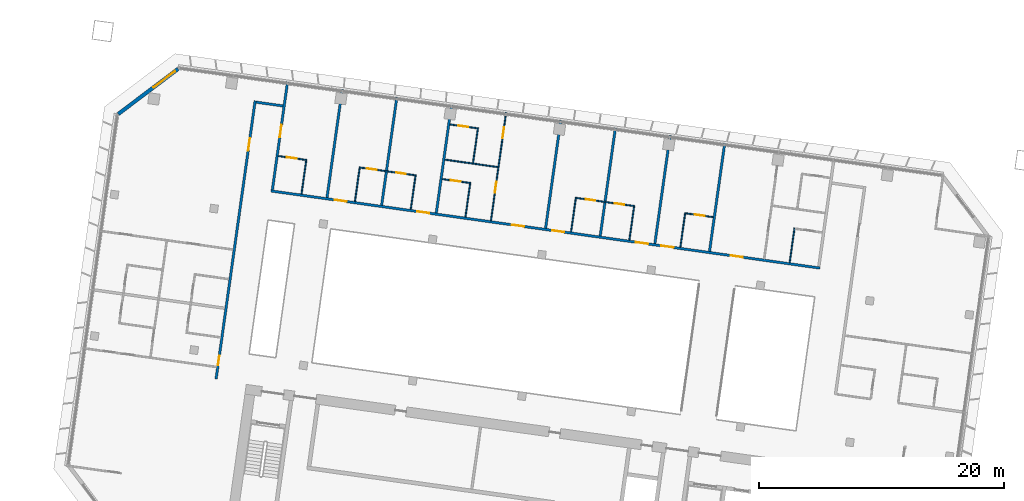
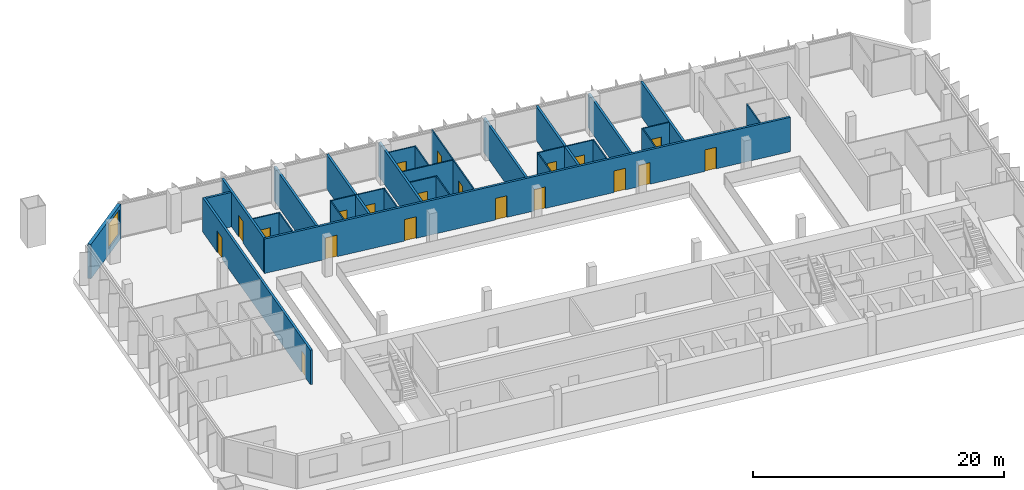
# One storey, part 16 of 24: 29 walls, 20 doors, 1 window, 21 openings.
"""IFC4 building model written with IfcOpenShell, lengths in metres."""

import ifcopenshell
import ifcopenshell.guid

model = None  # the IFC model being written
_history = None  # IfcOwnerHistory: only IFC2X3 demands one
_inside = {}  # id of a spatial element -> (the spatial element, [elements in it])
_under = {}  # id of a project, library or spatial element -> (it, [spatial elements below it])
_declared = {}  # id of a project -> (the project, [libraries it declares])
_typed = {}  # id of a type object -> (the type object, [elements of that type])
_made_of = {}  # id of a material, layer set ... -> (it, [elements and type objects made of it])


def new_model(schema):
    """Start an empty IFC model of exactly this schema.

    Asked for "IFC4X3", IfcOpenShell would pick the latest addendum, in which some entities
    have other attributes; the version numbers below select the first issue.
    IFC2X3 requires an IfcOwnerHistory on every rooted entity: one is made here for all.
    """
    global model, _history
    if schema == "IFC4X3":
        model = ifcopenshell.file(schema_version=(4, 3, 0, 0))
    else:
        model = ifcopenshell.file(schema=schema)
    _inside.clear()
    _under.clear()
    _declared.clear()
    _typed.clear()
    _made_of.clear()
    _history = None
    if model.schema == "IFC2X3":
        org = make("IfcOrganization", Name="unknown")
        user = make(
            "IfcPersonAndOrganization",
            ThePerson=make("IfcPerson", FamilyName="unknown"),
            TheOrganization=org,
        )
        app = make(
            "IfcApplication",
            ApplicationDeveloper=org,
            Version="unknown",
            ApplicationFullName="unknown",
            ApplicationIdentifier="unknown",
        )
        _history = make(
            "IfcOwnerHistory",
            OwningUser=user,
            OwningApplication=app,
            ChangeAction="ADDED",
            CreationDate=0,
        )
    return model


def make(cls, **values):
    """One entity of the class cls with the attributes given. An attribute that is None is left unset."""
    return model.create_entity(
        cls, **{name: value for name, value in values.items() if value is not None}
    )


def rooted(cls, **values):
    """An entity with a GlobalId (a new one), such as an element, a storey or a relation."""
    return make(cls, GlobalId=ifcopenshell.guid.new(), OwnerHistory=_history, **values)


def si_unit(unit_type, name, prefix=None):
    """IfcSIUnit, for example si_unit("LENGTHUNIT", "METRE", prefix="MILLI")."""
    return make("IfcSIUnit", UnitType=unit_type, Prefix=prefix, Name=name)


def assignment(units):
    """IfcUnitAssignment: the units of a project."""
    return None if units is None else make("IfcUnitAssignment", Units=units)


def point(xyz):
    """IfcCartesianPoint."""
    return None if xyz is None else make("IfcCartesianPoint", Coordinates=xyz)


def direction(xyz):
    """IfcDirection."""
    return None if xyz is None else make("IfcDirection", DirectionRatios=xyz)


def frame(location, z_axis=None, x_axis=None):
    """IfcAxis2Placement3D, a coordinate frame: its origin and axes. An axis left out is left unset."""
    return make(
        "IfcAxis2Placement3D",
        Location=point(location),
        Axis=direction(z_axis),
        RefDirection=direction(x_axis),
    )


def frame_2d(location, x_axis=None):
    """IfcAxis2Placement2D, a coordinate frame in the plane: its origin and x axis."""
    return make(
        "IfcAxis2Placement2D", Location=point(location), RefDirection=direction(x_axis)
    )


def origin():
    """The frame at (0, 0, 0) with its axes left unset."""
    return frame((0.0, 0.0, 0.0))


def place(relative_to, where):
    """IfcLocalPlacement: puts the frame where relative to a parent placement (None: the world)."""
    return make(
        "IfcLocalPlacement", PlacementRelTo=relative_to, RelativePlacement=where
    )


def context(
    kind, dimensions, precision=None, world=None, true_north=None, identifier=None
):
    """IfcGeometricRepresentationContext, for example the 3D "Model" context."""
    return make(
        "IfcGeometricRepresentationContext",
        ContextIdentifier=identifier,
        ContextType=kind,
        CoordinateSpaceDimension=dimensions,
        Precision=precision,
        WorldCoordinateSystem=world,
        TrueNorth=true_north,
    )


def subcontext(parent, identifier, kind, view, scale=None):
    """IfcGeometricRepresentationSubContext, for example "Body" below "Model"."""
    return make(
        "IfcGeometricRepresentationSubContext",
        ContextIdentifier=identifier,
        ContextType=kind,
        ParentContext=parent,
        TargetScale=scale,
        TargetView=view,
    )


def project(units=None, contexts=None):
    """IfcProject with its units and contexts."""
    return rooted(
        "IfcProject",
        Name="project",
        RepresentationContexts=contexts,
        UnitsInContext=assignment(units),
    )


def spatial(cls, under=None, at=None, **own):
    """A site, building, storey or space (cls), placed at a placement, below another one or the project."""
    s = rooted(cls, ObjectPlacement=at, **own)
    if under is not None:
        _under.setdefault(under.id(), (under, []))[1].append(s)
    return s


def profile(cls, at=None, kind="AREA", **sizes):
    """A parametric profile (cls). Its sizes go by their IFC names, for example OverallWidth=200.0."""
    return make(cls, ProfileType=kind, Position=at, **sizes)


def rectangle(**sizes):
    """IfcRectangleProfileDef."""
    return profile("IfcRectangleProfileDef", **sizes)


def extrude(swept, where, along, depth):
    """IfcExtrudedAreaSolid: the profile swept, set in the frame where, extruded along a direction by depth."""
    return make(
        "IfcExtrudedAreaSolid",
        SweptArea=swept,
        Position=where,
        ExtrudedDirection=direction(along),
        Depth=depth,
    )


def shape(context_of_items, identifier, shape_type, items):
    """IfcShapeRepresentation: the items that make up one representation, for example the "Body"."""
    return make(
        "IfcShapeRepresentation",
        ContextOfItems=context_of_items,
        RepresentationIdentifier=identifier,
        RepresentationType=shape_type,
        Items=items,
    )


def material(Name=None, Category=None):
    """IfcMaterial."""
    return make("IfcMaterial", Name=Name, Category=Category)


def layer(
    of_material, thickness, ventilated=None, Name=None, Category=None, Priority=None
):
    """IfcMaterialLayer: one layer of a wall or slab, of a material (None: an air gap)."""
    return make(
        "IfcMaterialLayer",
        Material=of_material,
        LayerThickness=thickness,
        IsVentilated=ventilated,
        Name=Name,
        Category=Category,
        Priority=Priority,
    )


def layer_set(layers, Name=None):
    """IfcMaterialLayerSet."""
    return make("IfcMaterialLayerSet", MaterialLayers=layers, LayerSetName=Name)


def made_of(thing, what):
    """Note that an element or type object is made of a material, layer set ...; save() writes the relation."""
    if what is not None:
        _made_of.setdefault(what.id(), (what, []))[1].append(thing)
    return thing


def type_object(cls, material=None, **own):
    """A type object (cls), such as IfcWallType, which elements share."""
    return made_of(rooted(cls, **own), material)


def element(
    cls,
    number,
    at=None,
    inside=None,
    cuts=None,
    type_object=None,
    material=None,
    context=None,
    identifier="Body",
    shape_type=None,
    held_by="IfcProductDefinitionShape",
    body=None,
    shapes=None,
    **own,
):
    """One element of the class cls, such as IfcWall. Its Tag is "e" and its number.

    at: its placement. inside: the storey or other place that contains it. cuts: it is an
    opening in that element (IfcRelVoidsElement). A single representation is given by context,
    identifier, shape_type and body (its items); several are given by shapes. held_by: the class
    of the entity that holds the representations. save() writes the other relations.
    """
    e = rooted(cls, Tag="e%d" % number, ObjectPlacement=at, **own)
    if body is not None:
        shapes = [shape(context, identifier, shape_type, body)]
    if shapes is not None:
        e.Representation = make(held_by, Representations=shapes)
    if inside is not None:
        _inside.setdefault(inside.id(), (inside, []))[1].append(e)
    if cuts is not None:
        rooted(
            "IfcRelVoidsElement", RelatingBuildingElement=cuts, RelatedOpeningElement=e
        )
    if type_object is not None:
        _typed.setdefault(type_object.id(), (type_object, []))[1].append(e)
    return made_of(e, material)


def fill(opening, filler):
    """IfcRelFillsElement: the door or window that sits in an opening."""
    return rooted(
        "IfcRelFillsElement",
        RelatingOpeningElement=opening,
        RelatedBuildingElement=filler,
    )


def aggregate(whole, parts):
    """IfcRelAggregates: a whole, such as a stair, and the parts it consists of."""
    return rooted("IfcRelAggregates", RelatingObject=whole, RelatedObjects=parts)


def save(model, path):
    """Write the relations noted so far, then the file.

    IfcRelAggregates (storeys below a building ...), IfcRelContainedInSpatialStructure (elements
    in a storey), IfcRelDefinesByType, IfcRelAssociatesMaterial and IfcRelDeclares: one each for
    every whole, place, type object, material and project.
    """
    for whole, parts in _under.values():
        aggregate(whole, parts)
    for where, things in _inside.values():
        rooted(
            "IfcRelContainedInSpatialStructure",
            RelatedElements=things,
            RelatingStructure=where,
        )
    for kind, things in _typed.values():
        rooted("IfcRelDefinesByType", RelatedObjects=things, RelatingType=kind)
    for what, things in _made_of.values():
        rooted("IfcRelAssociatesMaterial", RelatedObjects=things, RelatingMaterial=what)
    for by, libraries in _declared.values():
        rooted("IfcRelDeclares", RelatingContext=by, RelatedDefinitions=libraries)
    model.write(path)


model = new_model("IFC4")

# Units and contexts
model_context = context("Model", 3, precision=1e-05, world=origin(), true_north=direction((0.0, 1.0)))
body_context = subcontext(model_context, "Body", "Model", "MODEL_VIEW")
ifc_project = project(units=[si_unit("LENGTHUNIT", "METRE"), si_unit("AREAUNIT", "SQUARE_METRE"), si_unit("VOLUMEUNIT", "CUBIC_METRE"), si_unit("PLANEANGLEUNIT", "RADIAN"), si_unit("MASSUNIT", "GRAM", prefix="KILO")], contexts=[model_context])

# Site, building, storey
site_placement = place(None, origin())
site = spatial("IfcSite", under=ifc_project, at=site_placement, CompositionType="ELEMENT")
building_placement = place(site_placement, origin())
building = spatial("IfcBuilding", under=site, at=building_placement, Name="Mirante Cascada Hotel Towers", CompositionType="ELEMENT")
storey_placement = place(building_placement, frame((0.0, 0.0, 110.1)))
storey = spatial("IfcBuildingStorey", under=building, at=storey_placement, Name="L24", CompositionType="ELEMENT", Elevation=110.1)

# Wall, openings, doors
ifc_material_1 = material(Name="Fire-rated plasterboard on metal studs")
ifc_layer_1 = layer(ifc_material_1, 0.2)
ifc_layer_set_1 = layer_set([ifc_layer_1], Name="Compartment wall 200 EI 120")
wall_type_1 = type_object("IfcWallType", Name="Compartment wall 200 EI 120", PredefinedType="PARTITIONING", material=ifc_layer_set_1)
wall_1_placement = place(storey_placement, frame((-86.638, 16.0582, 0.0), z_axis=(0.0, 0.0, 1.0), x_axis=(0.9902681, -0.1391726, 0.0)))
wall_1 = element("IfcWall", 1, at=wall_1_placement, inside=storey, type_object=wall_type_1, Name="Wall 1-L24-18", PredefinedType="PARTITIONING", context=body_context, shape_type="SweptSolid", body=[
    extrude(rectangle(XDim=45.2, YDim=0.2, at=frame_2d((22.6, 0.0))), origin(), (0.0, 0.0, 1.0), 3.35),
])
opening_1_placement = place(wall_1_placement, frame((37.85, 0.0, 0.0)))
opening_1 = element("IfcOpeningElement", 2, at=opening_1_placement, cuts=wall_1, Name="Opening D1-L24-09", PredefinedType="OPENING", context=body_context, shape_type="SweptSolid", body=[
    extrude(rectangle(XDim=1.0, YDim=2.1, at=frame_2d((0.5, 1.05))), frame((0.0, 0.1, 0.0), z_axis=(0.0, -1.0, 0.0), x_axis=(1.0, 0.0, 0.0)), (0.0, 0.0, 1.0), 0.2),
])
opening_2_placement = place(wall_1_placement, frame((32.15, 0.0, 0.0)))
opening_2 = element("IfcOpeningElement", 3, at=opening_2_placement, cuts=wall_1, Name="Opening D1-L24-10", PredefinedType="OPENING", context=body_context, shape_type="SweptSolid", body=[
    extrude(rectangle(XDim=1.0, YDim=2.1, at=frame_2d((0.5, 1.05))), frame((0.0, 0.1, 0.0), z_axis=(0.0, -1.0, 0.0), x_axis=(1.0, 0.0, 0.0)), (0.0, 0.0, 1.0), 0.2),
])
opening_3_placement = place(wall_1_placement, frame((30.05, 0.0, 0.0)))
opening_3 = element("IfcOpeningElement", 4, at=opening_3_placement, cuts=wall_1, Name="Opening D1-L24-11", PredefinedType="OPENING", context=body_context, shape_type="SweptSolid", body=[
    extrude(rectangle(XDim=1.0, YDim=2.1, at=frame_2d((0.5, 1.05))), frame((0.0, 0.1, 0.0), z_axis=(0.0, -1.0, 0.0), x_axis=(1.0, 0.0, 0.0)), (0.0, 0.0, 1.0), 0.2),
])
opening_4_placement = place(wall_1_placement, frame((23.15, 0.0, 0.0)))
opening_4 = element("IfcOpeningElement", 5, at=opening_4_placement, cuts=wall_1, Name="Opening D1-L24-12", PredefinedType="OPENING", context=body_context, shape_type="SweptSolid", body=[
    extrude(rectangle(XDim=1.0, YDim=2.1, at=frame_2d((0.5, 1.05))), frame((0.0, 0.1, 0.0), z_axis=(0.0, -1.0, 0.0), x_axis=(1.0, 0.0, 0.0)), (0.0, 0.0, 1.0), 0.2),
])
opening_5_placement = place(wall_1_placement, frame((19.85, 0.0, 0.0)))
opening_5 = element("IfcOpeningElement", 6, at=opening_5_placement, cuts=wall_1, Name="Opening D1-L24-13", PredefinedType="OPENING", context=body_context, shape_type="SweptSolid", body=[
    extrude(rectangle(XDim=1.0, YDim=2.1, at=frame_2d((0.5, 1.05))), frame((0.0, 0.1, 0.0), z_axis=(0.0, -1.0, 0.0), x_axis=(1.0, 0.0, 0.0)), (0.0, 0.0, 1.0), 0.2),
])
opening_6_placement = place(wall_1_placement, frame((12.05, 0.0, 0.0)))
opening_6 = element("IfcOpeningElement", 7, at=opening_6_placement, cuts=wall_1, Name="Opening D1-L24-14", PredefinedType="OPENING", context=body_context, shape_type="SweptSolid", body=[
    extrude(rectangle(XDim=1.0, YDim=2.1, at=frame_2d((0.5, 1.05))), frame((0.0, 0.1, 0.0), z_axis=(0.0, -1.0, 0.0), x_axis=(1.0, 0.0, 0.0)), (0.0, 0.0, 1.0), 0.2),
])
opening_7_placement = place(wall_1_placement, frame((5.25, 0.0, 0.0)))
opening_7 = element("IfcOpeningElement", 8, at=opening_7_placement, cuts=wall_1, Name="Opening D1-L24-15", PredefinedType="OPENING", context=body_context, shape_type="SweptSolid", body=[
    extrude(rectangle(XDim=1.0, YDim=2.1, at=frame_2d((0.5, 1.05))), frame((0.0, 0.1, 0.0), z_axis=(0.0, -1.0, 0.0), x_axis=(1.0, 0.0, 0.0)), (0.0, 0.0, 1.0), 0.2),
])
ifc_material_2 = material(Name="Fire-rated timber door leaf", Category="wood")
door_type_1 = type_object("IfcDoorType", Name="Entrance door DG1 1000x2100 EI 60", OperationType="SINGLE_SWING_LEFT", PredefinedType="DOOR", material=ifc_material_2)
door_1_placement = place(opening_1_placement, origin())
door_1 = element("IfcDoor", 9, at=door_1_placement, inside=storey, type_object=door_type_1, Name="Door D1-L24-09", OperationType="SINGLE_SWING_LEFT", OverallHeight=2.1, OverallWidth=1.0, PredefinedType="DOOR", context=body_context, shape_type="SweptSolid", body=[
    extrude(rectangle(XDim=1.0, YDim=2.1, at=frame_2d((0.5, 1.05))), frame((0.0, 0.025, 0.0), z_axis=(0.0, -1.0, 0.0), x_axis=(1.0, 0.0, 0.0)), (0.0, 0.0, 1.0), 0.05),
])
fill(opening_1, door_1)
door_2_placement = place(opening_2_placement, origin())
door_2 = element("IfcDoor", 10, at=door_2_placement, inside=storey, type_object=door_type_1, Name="Door D1-L24-10", OperationType="SINGLE_SWING_LEFT", OverallHeight=2.1, OverallWidth=1.0, PredefinedType="DOOR", context=body_context, shape_type="SweptSolid", body=[
    extrude(rectangle(XDim=1.0, YDim=2.1, at=frame_2d((0.5, 1.05))), frame((0.0, 0.025, 0.0), z_axis=(0.0, -1.0, 0.0), x_axis=(1.0, 0.0, 0.0)), (0.0, 0.0, 1.0), 0.05),
])
fill(opening_2, door_2)
door_3_placement = place(opening_3_placement, origin())
door_3 = element("IfcDoor", 11, at=door_3_placement, inside=storey, type_object=door_type_1, Name="Door D1-L24-11", OperationType="SINGLE_SWING_LEFT", OverallHeight=2.1, OverallWidth=1.0, PredefinedType="DOOR", context=body_context, shape_type="SweptSolid", body=[
    extrude(rectangle(XDim=1.0, YDim=2.1, at=frame_2d((0.5, 1.05))), frame((0.0, 0.025, 0.0), z_axis=(0.0, -1.0, 0.0), x_axis=(1.0, 0.0, 0.0)), (0.0, 0.0, 1.0), 0.05),
])
fill(opening_3, door_3)
door_4_placement = place(opening_4_placement, origin())
door_4 = element("IfcDoor", 12, at=door_4_placement, inside=storey, type_object=door_type_1, Name="Door D1-L24-12", OperationType="SINGLE_SWING_LEFT", OverallHeight=2.1, OverallWidth=1.0, PredefinedType="DOOR", context=body_context, shape_type="SweptSolid", body=[
    extrude(rectangle(XDim=1.0, YDim=2.1, at=frame_2d((0.5, 1.05))), frame((0.0, 0.025, 0.0), z_axis=(0.0, -1.0, 0.0), x_axis=(1.0, 0.0, 0.0)), (0.0, 0.0, 1.0), 0.05),
])
fill(opening_4, door_4)
door_5_placement = place(opening_5_placement, origin())
door_5 = element("IfcDoor", 13, at=door_5_placement, inside=storey, type_object=door_type_1, Name="Door D1-L24-13", OperationType="SINGLE_SWING_LEFT", OverallHeight=2.1, OverallWidth=1.0, PredefinedType="DOOR", context=body_context, shape_type="SweptSolid", body=[
    extrude(rectangle(XDim=1.0, YDim=2.1, at=frame_2d((0.5, 1.05))), frame((0.0, 0.025, 0.0), z_axis=(0.0, -1.0, 0.0), x_axis=(1.0, 0.0, 0.0)), (0.0, 0.0, 1.0), 0.05),
])
fill(opening_5, door_5)
door_6_placement = place(opening_6_placement, origin())
door_6 = element("IfcDoor", 14, at=door_6_placement, inside=storey, type_object=door_type_1, Name="Door D1-L24-14", OperationType="SINGLE_SWING_LEFT", OverallHeight=2.1, OverallWidth=1.0, PredefinedType="DOOR", context=body_context, shape_type="SweptSolid", body=[
    extrude(rectangle(XDim=1.0, YDim=2.1, at=frame_2d((0.5, 1.05))), frame((0.0, 0.025, 0.0), z_axis=(0.0, -1.0, 0.0), x_axis=(1.0, 0.0, 0.0)), (0.0, 0.0, 1.0), 0.05),
])
fill(opening_6, door_6)
door_7_placement = place(opening_7_placement, origin())
door_7 = element("IfcDoor", 15, at=door_7_placement, inside=storey, type_object=door_type_1, Name="Door D1-L24-15", OperationType="SINGLE_SWING_LEFT", OverallHeight=2.1, OverallWidth=1.0, PredefinedType="DOOR", context=body_context, shape_type="SweptSolid", body=[
    extrude(rectangle(XDim=1.0, YDim=2.1, at=frame_2d((0.5, 1.05))), frame((0.0, 0.025, 0.0), z_axis=(0.0, -1.0, 0.0), x_axis=(1.0, 0.0, 0.0)), (0.0, 0.0, 1.0), 0.05),
])
fill(opening_7, door_7)

# Walls
wall_2_placement = place(storey_placement, frame((-85.6638, 22.9901, 0.0), z_axis=(0.0, 0.0, 1.0), x_axis=(-0.990267, 0.139181, 0.0)))
element("IfcWall", 16, at=wall_2_placement, inside=storey, type_object=wall_type_1, Name="Wall 1-L24-29", PredefinedType="PARTITIONING", context=body_context, shape_type="SweptSolid", body=[
    extrude(rectangle(XDim=2.2, YDim=0.2, at=frame_2d((1.1, 0.0))), origin(), (0.0, 0.0, 1.0), 3.35),
])
for number, where, z_axis, x_axis, name in (
    (17, (-50.8754, 11.1331, 0.0), (0.0, 0.0, 1.0), (0.1391794, 0.9902672, 0.0), "Wall 1-L24-43"),
    (18, (-55.3316, 11.7594, 0.0), (0.0, 0.0, 1.0), (0.1391794, 0.9902672, 0.0), "Wall 1-L24-45"),
):
    element("IfcWall", number, at=place(storey_placement, frame(where, z_axis=z_axis, x_axis=x_axis)), inside=storey, type_object=wall_type_1, Name=name, PredefinedType="PARTITIONING", context=body_context, shape_type="SweptSolid", body=[
        extrude(rectangle(XDim=8.9, YDim=0.2, at=frame_2d((4.45, 0.0))), origin(), (0.0, 0.0, 1.0), 3.35),
    ])
wall_3_placement = place(storey_placement, frame((-59.7878, 12.3857, 0.0), z_axis=(0.0, 0.0, 1.0), x_axis=(0.13917, 0.9902685, 0.0)))
element("IfcWall", 19, at=wall_3_placement, inside=storey, type_object=wall_type_1, Name="Wall 1-L24-47", PredefinedType="PARTITIONING", context=body_context, shape_type="SweptSolid", body=[
    extrude(rectangle(XDim=8.8999, YDim=0.2, at=frame_2d((4.45, 0.0))), origin(), (0.0, 0.0, 1.0), 3.35),
])
for number, where, z_axis, x_axis, name in (
    (20, (-64.244, 13.0119, 0.0), (0.0, 0.0, 1.0), (0.1391684, 0.9902687, 0.0), "Wall 1-L24-49"),
    (21, (-73.1564, 14.2645, 0.0), (0.0, 0.0, 1.0), (0.1391684, 0.9902687, 0.0), "Wall 1-L24-53"),
    (22, (-77.6126, 14.8908, 0.0), (0.0, 0.0, 1.0), (0.1391684, 0.9902687, 0.0), "Wall 1-L24-55"),
):
    element("IfcWall", number, at=place(storey_placement, frame(where, z_axis=z_axis, x_axis=x_axis)), inside=storey, type_object=wall_type_1, Name=name, PredefinedType="PARTITIONING", context=body_context, shape_type="SweptSolid", body=[
        extrude(rectangle(XDim=8.9, YDim=0.2, at=frame_2d((4.45, 0.0))), origin(), (0.0, 0.0, 1.0), 3.35),
    ])
wall_4_placement = place(storey_placement, frame((-82.0688, 15.5171, 0.0), z_axis=(0.0, 0.0, 1.0), x_axis=(0.13917, 0.9902685, 0.0)))
element("IfcWall", 23, at=wall_4_placement, inside=storey, type_object=wall_type_1, Name="Wall 1-L24-57", PredefinedType="PARTITIONING", context=body_context, shape_type="SweptSolid", body=[
    extrude(rectangle(XDim=8.8999, YDim=0.2, at=frame_2d((4.45, 0.0))), origin(), (0.0, 0.0, 1.0), 3.35),
])

# Wall, opening, door
wall_5_placement = place(storey_placement, frame((-86.525, 16.1433, 0.0), z_axis=(0.0, 0.0, 1.0), x_axis=(0.1391684, 0.9902687, 0.0)))
wall_5 = element("IfcWall", 24, at=wall_5_placement, inside=storey, type_object=wall_type_1, Name="Wall 1-L24-59", PredefinedType="PARTITIONING", context=body_context, shape_type="SweptSolid", body=[
    extrude(rectangle(XDim=8.9, YDim=0.2, at=frame_2d((4.45, 0.0))), origin(), (0.0, 0.0, 1.0), 3.35),
])
opening_8_placement = place(wall_5_placement, frame((4.35, 0.0, 0.0)))
opening_8 = element("IfcOpeningElement", 25, at=opening_8_placement, cuts=wall_5, Name="Opening D1-L24-36", PredefinedType="OPENING", context=body_context, shape_type="SweptSolid", body=[
    extrude(rectangle(XDim=1.0, YDim=2.1, at=frame_2d((0.5, 1.05))), frame((0.0, 0.1, 0.0), z_axis=(0.0, -1.0, 0.0), x_axis=(1.0, 0.0, 0.0)), (0.0, 0.0, 1.0), 0.2),
])
door_8_placement = place(opening_8_placement, frame((1.0, 0.0, 0.0), z_axis=(0.0, 0.0, 1.0), x_axis=(-1.0, 0.0, 0.0)))
door_8 = element("IfcDoor", 26, at=door_8_placement, inside=storey, type_object=door_type_1, Name="Door D1-L24-36", OperationType="SINGLE_SWING_RIGHT", OverallHeight=2.1, OverallWidth=1.0, PredefinedType="DOOR", context=body_context, shape_type="SweptSolid", body=[
    extrude(rectangle(XDim=1.0, YDim=2.1, at=frame_2d((0.5, 1.05))), frame((0.0, 0.025, 0.0), z_axis=(0.0, -1.0, 0.0), x_axis=(1.0, 0.0, 0.0)), (0.0, 0.0, 1.0), 0.05),
])
fill(opening_8, door_8)

# Wall, openings, doors
wall_6_placement = place(storey_placement, frame((-87.9275, 23.4092, 0.0), z_axis=(0.0, 0.0, 1.0), x_axis=(-0.1391706, -0.9902684, 0.0)))
wall_6 = element("IfcWall", 27, at=wall_6_placement, inside=storey, type_object=wall_type_1, Name="Wall 1-L24-60", PredefinedType="PARTITIONING", context=body_context, shape_type="SweptSolid", body=[
    extrude(rectangle(XDim=22.9, YDim=0.2, at=frame_2d((11.45, 0.0))), origin(), (0.0, 0.0, 1.0), 3.35),
])
opening_9_placement = place(wall_6_placement, frame((20.9833, 0.0, 0.0)))
opening_9 = element("IfcOpeningElement", 28, at=opening_9_placement, cuts=wall_6, Name="Opening D1-L24-37", PredefinedType="OPENING", context=body_context, shape_type="SweptSolid", body=[
    extrude(rectangle(XDim=0.8, YDim=2.1, at=frame_2d((0.4, 1.05))), frame((0.0, 0.1, 0.0), z_axis=(0.0, -1.0, 0.0), x_axis=(1.0, 0.0, 0.0)), (0.0, 0.0, 1.0), 0.2),
])
opening_10_placement = place(wall_6_placement, frame((3.1, 0.0, 0.0)))
opening_10 = element("IfcOpeningElement", 29, at=opening_10_placement, cuts=wall_6, Name="Opening D1-L24-38", PredefinedType="OPENING", context=body_context, shape_type="SweptSolid", body=[
    extrude(rectangle(XDim=1.0, YDim=2.1, at=frame_2d((0.5, 1.05))), frame((0.0, 0.1, 0.0), z_axis=(0.0, -1.0, 0.0), x_axis=(1.0, 0.0, 0.0)), (0.0, 0.0, 1.0), 0.2),
])
ifc_material_3 = material(Name="Fire-rated timber door leaf", Category="wood")
door_type_2 = type_object("IfcDoorType", Name="Bathroom door DG4 800x2100 EI 60", OperationType="SINGLE_SWING_LEFT", PredefinedType="DOOR", material=ifc_material_3)
door_9_placement = place(opening_9_placement, frame((0.8, 0.0, 0.0), z_axis=(0.0, 0.0, 1.0), x_axis=(-1.0, 0.0, 0.0)))
door_9 = element("IfcDoor", 30, at=door_9_placement, inside=storey, type_object=door_type_2, Name="Door D1-L24-37", OperationType="SINGLE_SWING_RIGHT", OverallHeight=2.1, OverallWidth=0.8, PredefinedType="DOOR", context=body_context, shape_type="SweptSolid", body=[
    extrude(rectangle(XDim=0.8, YDim=2.1, at=frame_2d((0.4, 1.05))), frame((0.0, 0.025, 0.0), z_axis=(0.0, -1.0, 0.0), x_axis=(1.0, 0.0, 0.0)), (0.0, 0.0, 1.0), 0.05),
])
fill(opening_9, door_9)
door_10_placement = place(opening_10_placement, frame((1.0, 0.0, 0.0), z_axis=(0.0, 0.0, 1.0), x_axis=(-1.0, 0.0, 0.0)))
door_10 = element("IfcDoor", 31, at=door_10_placement, inside=storey, type_object=door_type_1, Name="Door D1-L24-38", OperationType="SINGLE_SWING_RIGHT", OverallHeight=2.1, OverallWidth=1.0, PredefinedType="DOOR", context=body_context, shape_type="SweptSolid", body=[
    extrude(rectangle(XDim=1.0, YDim=2.1, at=frame_2d((0.5, 1.05))), frame((0.0, 0.025, 0.0), z_axis=(0.0, -1.0, 0.0), x_axis=(1.0, 0.0, 0.0)), (0.0, 0.0, 1.0), 0.05),
])
fill(opening_10, door_10)

# Wall, opening, door
ifc_material_4 = material(Name="Plasterboard on metal studs")
ifc_layer_2 = layer(ifc_material_4, 0.1)
ifc_layer_set_2 = layer_set([ifc_layer_2], Name="Partition 100")
wall_type_2 = type_object("IfcWallType", Name="Partition 100", PredefinedType="PARTITIONING", material=ifc_layer_set_2)
wall_7_placement = place(storey_placement, frame((-52.8128, 14.2329, 0.0), z_axis=(0.0, 0.0, 1.0), x_axis=(0.9902705, -0.1391561, 0.0)))
wall_7 = element("IfcWall", 32, at=wall_7_placement, inside=storey, type_object=wall_type_2, Name="Wall 1-L24-20", PredefinedType="PARTITIONING", context=body_context, shape_type="SweptSolid", body=[
    extrude(rectangle(XDim=2.25, YDim=0.1, at=frame_2d((1.125, 0.0))), origin(), (0.0, 0.0, 1.0), 3.35),
])
opening_11_placement = place(wall_7_placement, frame((0.75, 0.0, 0.0)))
opening_11 = element("IfcOpeningElement", 33, at=opening_11_placement, cuts=wall_7, Name="Opening D1-L24-17", PredefinedType="OPENING", context=body_context, shape_type="SweptSolid", body=[
    extrude(rectangle(XDim=0.8, YDim=2.1, at=frame_2d((0.4, 1.05))), frame((0.0, 0.05, 0.0), z_axis=(0.0, -1.0, 0.0), x_axis=(1.0, 0.0, 0.0)), (0.0, 0.0, 1.0), 0.1),
])
ifc_material_5 = material(Name="Timber door leaf", Category="wood")
door_type_3 = type_object("IfcDoorType", Name="Bathroom door DG4 800x2100", OperationType="SINGLE_SWING_LEFT", PredefinedType="DOOR", material=ifc_material_5)
door_11_placement = place(opening_11_placement, origin())
door_11 = element("IfcDoor", 34, at=door_11_placement, inside=storey, type_object=door_type_3, Name="Door D1-L24-17", OperationType="SINGLE_SWING_LEFT", OverallHeight=2.1, OverallWidth=0.8, PredefinedType="DOOR", context=body_context, shape_type="SweptSolid", body=[
    extrude(rectangle(XDim=0.8, YDim=2.1, at=frame_2d((0.4, 1.05))), frame((0.0, 0.025, 0.0), z_axis=(0.0, -1.0, 0.0), x_axis=(1.0, 0.0, 0.0)), (0.0, 0.0, 1.0), 0.05),
])
fill(opening_11, door_11)

# Wall, openings, doors
wall_8_placement = place(storey_placement, frame((-56.972, 14.8174, 0.0), z_axis=(0.0, 0.0, 1.0), x_axis=(-0.9902666, 0.1391838, 0.0)))
wall_8 = element("IfcWall", 35, at=wall_8_placement, inside=storey, type_object=wall_type_2, Name="Wall 1-L24-21", PredefinedType="PARTITIONING", context=body_context, shape_type="SweptSolid", body=[
    extrude(rectangle(XDim=4.9, YDim=0.1, at=frame_2d((2.45, 0.0))), origin(), (0.0, 0.0, 1.0), 3.35),
])
opening_12_placement = place(wall_8_placement, frame((0.85, 0.0, 0.0)))
opening_12 = element("IfcOpeningElement", 36, at=opening_12_placement, cuts=wall_8, Name="Opening D1-L24-18", PredefinedType="OPENING", context=body_context, shape_type="SweptSolid", body=[
    extrude(rectangle(XDim=0.8, YDim=2.1, at=frame_2d((0.4, 1.05))), frame((0.0, 0.05, 0.0), z_axis=(0.0, -1.0, 0.0), x_axis=(1.0, 0.0, 0.0)), (0.0, 0.0, 1.0), 0.1),
])
opening_13_placement = place(wall_8_placement, frame((3.25, 0.0, 0.0)))
opening_13 = element("IfcOpeningElement", 37, at=opening_13_placement, cuts=wall_8, Name="Opening D1-L24-19", PredefinedType="OPENING", context=body_context, shape_type="SweptSolid", body=[
    extrude(rectangle(XDim=0.8, YDim=2.1, at=frame_2d((0.4, 1.05))), frame((0.0, 0.05, 0.0), z_axis=(0.0, -1.0, 0.0), x_axis=(1.0, 0.0, 0.0)), (0.0, 0.0, 1.0), 0.1),
])
door_12_placement = place(opening_12_placement, frame((0.8, 0.0, 0.0), z_axis=(0.0, 0.0, 1.0), x_axis=(-1.0, 0.0, 0.0)))
door_12 = element("IfcDoor", 38, at=door_12_placement, inside=storey, type_object=door_type_3, Name="Door D1-L24-18", OperationType="SINGLE_SWING_RIGHT", OverallHeight=2.1, OverallWidth=0.8, PredefinedType="DOOR", context=body_context, shape_type="SweptSolid", body=[
    extrude(rectangle(XDim=0.8, YDim=2.1, at=frame_2d((0.4, 1.05))), frame((0.0, 0.025, 0.0), z_axis=(0.0, -1.0, 0.0), x_axis=(1.0, 0.0, 0.0)), (0.0, 0.0, 1.0), 0.05),
])
fill(opening_12, door_12)
door_13_placement = place(opening_13_placement, frame((0.8, 0.0, 0.0), z_axis=(0.0, 0.0, 1.0), x_axis=(-1.0, 0.0, 0.0)))
door_13 = element("IfcDoor", 39, at=door_13_placement, inside=storey, type_object=door_type_3, Name="Door D1-L24-19", OperationType="SINGLE_SWING_RIGHT", OverallHeight=2.1, OverallWidth=0.8, PredefinedType="DOOR", context=body_context, shape_type="SweptSolid", body=[
    extrude(rectangle(XDim=0.8, YDim=2.1, at=frame_2d((0.4, 1.05))), frame((0.0, 0.025, 0.0), z_axis=(0.0, -1.0, 0.0), x_axis=(1.0, 0.0, 0.0)), (0.0, 0.0, 1.0), 0.05),
])
fill(opening_13, door_13)

# Wall, opening, door
wall_9_placement = place(storey_placement, frame((-72.6677, 17.0233, 0.0), z_axis=(0.0, 0.0, 1.0), x_axis=(0.9902705, -0.1391561, 0.0)))
wall_9 = element("IfcWall", 40, at=wall_9_placement, inside=storey, type_object=wall_type_2, Name="Wall 1-L24-22", PredefinedType="PARTITIONING", context=body_context, shape_type="SweptSolid", body=[
    extrude(rectangle(XDim=2.25, YDim=0.1, at=frame_2d((1.125, 0.0))), origin(), (0.0, 0.0, 1.0), 3.35),
])
opening_14_placement = place(wall_9_placement, frame((0.7, 0.0, 0.0)))
opening_14 = element("IfcOpeningElement", 41, at=opening_14_placement, cuts=wall_9, Name="Opening D1-L24-20", PredefinedType="OPENING", context=body_context, shape_type="SweptSolid", body=[
    extrude(rectangle(XDim=0.8, YDim=2.1, at=frame_2d((0.4, 1.05))), frame((0.0, 0.05, 0.0), z_axis=(0.0, -1.0, 0.0), x_axis=(1.0, 0.0, 0.0)), (0.0, 0.0, 1.0), 0.1),
])
door_14_placement = place(opening_14_placement, frame((0.8, 0.0, 0.0), z_axis=(0.0, 0.0, 1.0), x_axis=(-1.0, 0.0, 0.0)))
door_14 = element("IfcDoor", 42, at=door_14_placement, inside=storey, type_object=door_type_3, Name="Door D1-L24-20", OperationType="SINGLE_SWING_RIGHT", OverallHeight=2.1, OverallWidth=0.8, PredefinedType="DOOR", context=body_context, shape_type="SweptSolid", body=[
    extrude(rectangle(XDim=0.8, YDim=2.1, at=frame_2d((0.4, 1.05))), frame((0.0, 0.025, 0.0), z_axis=(0.0, -1.0, 0.0), x_axis=(1.0, 0.0, 0.0)), (0.0, 0.0, 1.0), 0.05),
])
fill(opening_14, door_14)

# Wall, openings, doors
wall_10_placement = place(storey_placement, frame((-74.7968, 17.3226, 0.0), z_axis=(0.0, 0.0, 1.0), x_axis=(-0.9902682, 0.139172, 0.0)))
wall_10 = element("IfcWall", 43, at=wall_10_placement, inside=storey, type_object=wall_type_2, Name="Wall 1-L24-23", PredefinedType="PARTITIONING", context=body_context, shape_type="SweptSolid", body=[
    extrude(rectangle(XDim=4.6999, YDim=0.1, at=frame_2d((2.35, 0.0))), origin(), (0.0, 0.0, 1.0), 3.35),
])
opening_15_placement = place(wall_10_placement, frame((0.85, 0.0, 0.0)))
opening_15 = element("IfcOpeningElement", 44, at=opening_15_placement, cuts=wall_10, Name="Opening D1-L24-21", PredefinedType="OPENING", context=body_context, shape_type="SweptSolid", body=[
    extrude(rectangle(XDim=0.8, YDim=2.1, at=frame_2d((0.4, 1.05))), frame((0.0, 0.05, 0.0), z_axis=(0.0, -1.0, 0.0), x_axis=(1.0, 0.0, 0.0)), (0.0, 0.0, 1.0), 0.1),
])
opening_16_placement = place(wall_10_placement, frame((3.25, 0.0, 0.0)))
opening_16 = element("IfcOpeningElement", 45, at=opening_16_placement, cuts=wall_10, Name="Opening D1-L24-22", PredefinedType="OPENING", context=body_context, shape_type="SweptSolid", body=[
    extrude(rectangle(XDim=0.8, YDim=2.1, at=frame_2d((0.4, 1.05))), frame((0.0, 0.05, 0.0), z_axis=(0.0, -1.0, 0.0), x_axis=(1.0, 0.0, 0.0)), (0.0, 0.0, 1.0), 0.1),
])
door_15_placement = place(opening_15_placement, frame((0.8, 0.0, 0.0), z_axis=(0.0, 0.0, 1.0), x_axis=(-1.0, 0.0, 0.0)))
door_15 = element("IfcDoor", 46, at=door_15_placement, inside=storey, type_object=door_type_3, Name="Door D1-L24-21", OperationType="SINGLE_SWING_RIGHT", OverallHeight=2.1, OverallWidth=0.8, PredefinedType="DOOR", context=body_context, shape_type="SweptSolid", body=[
    extrude(rectangle(XDim=0.8, YDim=2.1, at=frame_2d((0.4, 1.05))), frame((0.0, 0.025, 0.0), z_axis=(0.0, -1.0, 0.0), x_axis=(1.0, 0.0, 0.0)), (0.0, 0.0, 1.0), 0.05),
])
fill(opening_15, door_15)
door_16_placement = place(opening_16_placement, frame((0.8, 0.0, 0.0), z_axis=(0.0, 0.0, 1.0), x_axis=(-1.0, 0.0, 0.0)))
door_16 = element("IfcDoor", 47, at=door_16_placement, inside=storey, type_object=door_type_3, Name="Door D1-L24-22", OperationType="SINGLE_SWING_RIGHT", OverallHeight=2.1, OverallWidth=0.8, PredefinedType="DOOR", context=body_context, shape_type="SweptSolid", body=[
    extrude(rectangle(XDim=0.8, YDim=2.1, at=frame_2d((0.4, 1.05))), frame((0.0, 0.025, 0.0), z_axis=(0.0, -1.0, 0.0), x_axis=(1.0, 0.0, 0.0)), (0.0, 0.0, 1.0), 0.05),
])
fill(opening_16, door_16)

# Wall, opening, door
wall_11_placement = place(storey_placement, frame((-86.0363, 18.9022, 0.0), z_axis=(0.0, 0.0, 1.0), x_axis=(0.9902643, -0.1391997, 0.0)))
wall_11 = element("IfcWall", 48, at=wall_11_placement, inside=storey, type_object=wall_type_2, Name="Wall 1-L24-24", PredefinedType="PARTITIONING", context=body_context, shape_type="SweptSolid", body=[
    extrude(rectangle(XDim=2.25, YDim=0.1, at=frame_2d((1.125, 0.0))), origin(), (0.0, 0.0, 1.0), 3.35),
])
opening_17_placement = place(wall_11_placement, frame((0.7, 0.0, 0.0)))
opening_17 = element("IfcOpeningElement", 49, at=opening_17_placement, cuts=wall_11, Name="Opening D1-L24-23", PredefinedType="OPENING", context=body_context, shape_type="SweptSolid", body=[
    extrude(rectangle(XDim=0.8, YDim=2.1, at=frame_2d((0.4, 1.05))), frame((0.0, 0.05, 0.0), z_axis=(0.0, -1.0, 0.0), x_axis=(1.0, 0.0, 0.0)), (0.0, 0.0, 1.0), 0.1),
])
door_17_placement = place(opening_17_placement, origin())
door_17 = element("IfcDoor", 50, at=door_17_placement, inside=storey, type_object=door_type_3, Name="Door D1-L24-23", OperationType="SINGLE_SWING_LEFT", OverallHeight=2.1, OverallWidth=0.8, PredefinedType="DOOR", context=body_context, shape_type="SweptSolid", body=[
    extrude(rectangle(XDim=0.8, YDim=2.1, at=frame_2d((0.4, 1.05))), frame((0.0, 0.025, 0.0), z_axis=(0.0, -1.0, 0.0), x_axis=(1.0, 0.0, 0.0)), (0.0, 0.0, 1.0), 0.05),
])
fill(opening_17, door_17)

# Wall
wall_12_placement = place(storey_placement, frame((-68.1374, 18.0024, 0.0), z_axis=(0.0, 0.0, 1.0), x_axis=(-0.9902679, 0.1391745, 0.0)))
element("IfcWall", 51, at=wall_12_placement, inside=storey, type_object=wall_type_2, Name="Wall 1-L24-27", PredefinedType="PARTITIONING", context=body_context, shape_type="SweptSolid", body=[
    extrude(rectangle(XDim=4.3499, YDim=0.1, at=frame_2d((2.175, 0.0))), origin(), (0.0, 0.0, 1.0), 3.35),
])

# Wall, opening, door
wall_13_placement = place(storey_placement, frame((-69.8133, 21.1664, 0.0), z_axis=(0.0, 0.0, 1.0), x_axis=(-0.9902705, 0.1391561, 0.0)))
wall_13 = element("IfcWall", 52, at=wall_13_placement, inside=storey, type_object=wall_type_2, Name="Wall 1-L24-31", PredefinedType="PARTITIONING", context=body_context, shape_type="SweptSolid", body=[
    extrude(rectangle(XDim=2.25, YDim=0.1, at=frame_2d((1.125, 0.0))), origin(), (0.0, 0.0, 1.0), 3.35),
])
opening_18_placement = place(wall_13_placement, frame((0.75, 0.0, 0.0)))
opening_18 = element("IfcOpeningElement", 53, at=opening_18_placement, cuts=wall_13, Name="Opening D1-L24-25", PredefinedType="OPENING", context=body_context, shape_type="SweptSolid", body=[
    extrude(rectangle(XDim=0.8, YDim=2.1, at=frame_2d((0.4, 1.05))), frame((0.0, 0.05, 0.0), z_axis=(0.0, -1.0, 0.0), x_axis=(1.0, 0.0, 0.0)), (0.0, 0.0, 1.0), 0.1),
])
door_18_placement = place(opening_18_placement, origin())
door_18 = element("IfcDoor", 54, at=door_18_placement, inside=storey, type_object=door_type_3, Name="Door D1-L24-25", OperationType="SINGLE_SWING_LEFT", OverallHeight=2.1, OverallWidth=0.8, PredefinedType="DOOR", context=body_context, shape_type="SweptSolid", body=[
    extrude(rectangle(XDim=0.8, YDim=2.1, at=frame_2d((0.4, 1.05))), frame((0.0, 0.025, 0.0), z_axis=(0.0, -1.0, 0.0), x_axis=(1.0, 0.0, 0.0)), (0.0, 0.0, 1.0), 0.05),
])
fill(opening_18, door_18)

# Walls
wall_14_placement = place(storey_placement, frame((-43.943, 13.0368, 0.0), z_axis=(0.0, 0.0, 1.0), x_axis=(-0.1391613, -0.9902697, 0.0)))
element("IfcWall", 55, at=wall_14_placement, inside=storey, type_object=wall_type_2, Name="Wall 1-L24-40", PredefinedType="PARTITIONING", context=body_context, shape_type="SweptSolid", body=[
    extrude(rectangle(XDim=2.8499, YDim=0.1, at=frame_2d((1.425, 0.0))), origin(), (0.0, 0.0, 1.0), 3.35),
])
wall_15_placement = place(storey_placement, frame((-52.8554, 14.2894, 0.0), z_axis=(0.0, 0.0, 1.0), x_axis=(-0.1391564, -0.9902704, 0.0)))
element("IfcWall", 56, at=wall_15_placement, inside=storey, type_object=wall_type_2, Name="Wall 1-L24-44", PredefinedType="PARTITIONING", context=body_context, shape_type="SweptSolid", body=[
    extrude(rectangle(XDim=2.85, YDim=0.1, at=frame_2d((1.425, 0.0))), origin(), (0.0, 0.0, 1.0), 3.35),
])
wall_16_placement = place(storey_placement, frame((-57.0284, 14.7749, 0.0), z_axis=(0.0, 0.0, 1.0), x_axis=(-0.1391963, -0.9902648, 0.0)))
element("IfcWall", 57, at=wall_16_placement, inside=storey, type_object=wall_type_2, Name="Wall 1-L24-46", PredefinedType="PARTITIONING", context=body_context, shape_type="SweptSolid", body=[
    extrude(rectangle(XDim=2.7501, YDim=0.1, at=frame_2d((1.3751, 0.0))), origin(), (0.0, 0.0, 1.0), 3.35),
])
wall_17_placement = place(storey_placement, frame((-61.7817, 15.4429, 0.0), z_axis=(0.0, 0.0, 1.0), x_axis=(-0.1391657, -0.9902691, 0.0)))
element("IfcWall", 58, at=wall_17_placement, inside=storey, type_object=wall_type_2, Name="Wall 1-L24-48", PredefinedType="PARTITIONING", context=body_context, shape_type="SweptSolid", body=[
    extrude(rectangle(XDim=2.75, YDim=0.1, at=frame_2d((1.375, 0.0))), origin(), (0.0, 0.0, 1.0), 3.35),
])

# Wall, openings, doors
wall_18_placement = place(storey_placement, frame((-67.4616, 22.4516, 0.0), z_axis=(0.0, 0.0, 1.0), x_axis=(-0.1391684, -0.9902687, 0.0)))
wall_18 = element("IfcWall", 59, at=wall_18_placement, inside=storey, type_object=wall_type_2, Name="Wall 1-L24-50", PredefinedType="PARTITIONING", context=body_context, shape_type="SweptSolid", body=[
    extrude(rectangle(XDim=8.9, YDim=0.1, at=frame_2d((4.45, 0.0))), origin(), (0.0, 0.0, 1.0), 3.35),
])
opening_19_placement = place(wall_18_placement, frame((5.7, 0.0, 0.0)))
opening_19 = element("IfcOpeningElement", 60, at=opening_19_placement, cuts=wall_18, Name="Opening D1-L24-34", PredefinedType="OPENING", context=body_context, shape_type="SweptSolid", body=[
    extrude(rectangle(XDim=0.9, YDim=2.1, at=frame_2d((0.45, 1.05))), frame((0.0, 0.05, 0.0), z_axis=(0.0, -1.0, 0.0), x_axis=(1.0, 0.0, 0.0)), (0.0, 0.0, 1.0), 0.1),
])
opening_20_placement = place(wall_18_placement, frame((1.2, 0.0, 0.0)))
opening_20 = element("IfcOpeningElement", 61, at=opening_20_placement, cuts=wall_18, Name="Opening D1-L24-35", PredefinedType="OPENING", context=body_context, shape_type="SweptSolid", body=[
    extrude(rectangle(XDim=0.9, YDim=2.1, at=frame_2d((0.45, 1.05))), frame((0.0, 0.05, 0.0), z_axis=(0.0, -1.0, 0.0), x_axis=(1.0, 0.0, 0.0)), (0.0, 0.0, 1.0), 0.1),
])
ifc_material_6 = material(Name="Timber door leaf", Category="wood")
door_type_4 = type_object("IfcDoorType", Name="Room door DG3 900x2100", OperationType="SINGLE_SWING_LEFT", PredefinedType="DOOR", material=ifc_material_6)
door_19_placement = place(opening_19_placement, origin())
door_19 = element("IfcDoor", 62, at=door_19_placement, inside=storey, type_object=door_type_4, Name="Door D1-L24-34", OperationType="SINGLE_SWING_LEFT", OverallHeight=2.1, OverallWidth=0.9, PredefinedType="DOOR", context=body_context, shape_type="SweptSolid", body=[
    extrude(rectangle(XDim=0.9, YDim=2.1, at=frame_2d((0.45, 1.05))), frame((0.0, 0.025, 0.0), z_axis=(0.0, -1.0, 0.0), x_axis=(1.0, 0.0, 0.0)), (0.0, 0.0, 1.0), 0.05),
])
fill(opening_19, door_19)
door_20_placement = place(opening_20_placement, origin())
door_20 = element("IfcDoor", 63, at=door_20_placement, inside=storey, type_object=door_type_4, Name="Door D1-L24-35", OperationType="SINGLE_SWING_LEFT", OverallHeight=2.1, OverallWidth=0.9, PredefinedType="DOOR", context=body_context, shape_type="SweptSolid", body=[
    extrude(rectangle(XDim=0.9, YDim=2.1, at=frame_2d((0.45, 1.05))), frame((0.0, 0.025, 0.0), z_axis=(0.0, -1.0, 0.0), x_axis=(1.0, 0.0, 0.0)), (0.0, 0.0, 1.0), 0.05),
])
fill(opening_20, door_20)

# Walls
wall_19_placement = place(storey_placement, frame((-70.7798, 13.9305, 0.0), z_axis=(0.0, 0.0, 1.0), x_axis=(0.1391957, 0.9902649, 0.0)))
element("IfcWall", 64, at=wall_19_placement, inside=storey, type_object=wall_type_2, Name="Wall 1-L24-51", PredefinedType="PARTITIONING", context=body_context, shape_type="SweptSolid", body=[
    extrude(rectangle(XDim=2.8499, YDim=0.1, at=frame_2d((1.425, 0.0))), origin(), (0.0, 0.0, 1.0), 3.35),
])
wall_20_placement = place(storey_placement, frame((-69.7568, 21.209, 0.0), z_axis=(0.0, 0.0, 1.0), x_axis=(-0.1392052, -0.9902636, 0.0)))
element("IfcWall", 65, at=wall_20_placement, inside=storey, type_object=wall_type_2, Name="Wall 1-L24-52", PredefinedType="PARTITIONING", context=body_context, shape_type="SweptSolid", body=[
    extrude(rectangle(XDim=2.9, YDim=0.1, at=frame_2d((1.45, 0.0))), origin(), (0.0, 0.0, 1.0), 3.35),
])
for number, where, z_axis, x_axis, name in (
    (66, (-74.8533, 17.28, 0.0), (0.0, 0.0, 1.0), (-0.1391657, -0.9902691, 0.0), "Wall 1-L24-54"),
    (67, (-79.4085, 17.9202, 0.0), (0.0, 0.0, 1.0), (-0.1391657, -0.9902691, 0.0), "Wall 1-L24-56"),
):
    element("IfcWall", number, at=place(storey_placement, frame(where, z_axis=z_axis, x_axis=x_axis)), inside=storey, type_object=wall_type_2, Name=name, PredefinedType="PARTITIONING", context=body_context, shape_type="SweptSolid", body=[
        extrude(rectangle(XDim=2.75, YDim=0.1, at=frame_2d((1.375, 0.0))), origin(), (0.0, 0.0, 1.0), 3.35),
    ])
wall_21_placement = place(storey_placement, frame((-83.7517, 18.6316, 0.0), z_axis=(0.0, 0.0, 1.0), x_axis=(-0.1391909, -0.9902656, 0.0)))
element("IfcWall", 68, at=wall_21_placement, inside=storey, type_object=wall_type_2, Name="Wall 1-L24-58", PredefinedType="PARTITIONING", context=body_context, shape_type="SweptSolid", body=[
    extrude(rectangle(XDim=2.85, YDim=0.1, at=frame_2d((1.425, 0.0))), origin(), (0.0, 0.0, 1.0), 3.35),
])

# Wall, opening, window
ifc_material_7 = material(Name="Precast concrete C40/50", Category="concrete")
ifc_layer_3 = layer(ifc_material_7, 0.3)
ifc_layer_set_3 = layer_set([ifc_layer_3], Name="Precast concrete C40/50 cladding wall 300")
wall_type_3 = type_object("IfcWallType", Name="Precast concrete C40/50 cladding wall 300", PredefinedType="STANDARD", material=ifc_layer_set_3)
wall_22_placement = place(storey_placement, frame((-99.0919, 22.3343, 0.0), z_axis=(0.0, 0.0, 1.0), x_axis=(0.7986362, 0.6018141, 0.0)))
wall_22 = element("IfcWall", 69, at=wall_22_placement, inside=storey, type_object=wall_type_3, Name="Corner cladding wall T1 L24 outer front", PredefinedType="STANDARD", context=body_context, shape_type="SweptSolid", body=[
    extrude(rectangle(XDim=6.1157, YDim=0.3, at=frame_2d((3.0578, 0.0))), origin(), (0.0, 0.0, 1.0), 3.35),
])
opening_21_placement = place(wall_22_placement, frame((3.595, 0.0, 0.6)))
opening_21 = element("IfcOpeningElement", 70, at=opening_21_placement, cuts=wall_22, Name="Opening W1-24-04", PredefinedType="OPENING", context=body_context, shape_type="SweptSolid", body=[
    extrude(rectangle(XDim=2.2, YDim=2.4, at=frame_2d((1.1, 1.2))), frame((0.0, 0.15, 0.0), z_axis=(0.0, -1.0, 0.0), x_axis=(1.0, 0.0, 0.0)), (0.0, 0.0, 1.0), 0.3),
])
ifc_material_8 = material(Name="Aluminium frame with clear double glazing", Category="aluminium")
window_type = type_object("IfcWindowType", Name="Corner suite window 2200x2400", PartitioningType="DOUBLE_PANEL_VERTICAL", PredefinedType="WINDOW", material=ifc_material_8)
window_placement = place(opening_21_placement, origin())
window = element("IfcWindow", 71, at=window_placement, inside=storey, type_object=window_type, Name="Window W1-24-04", OverallHeight=2.4, OverallWidth=2.2, PartitioningType="SINGLE_PANEL", PredefinedType="WINDOW", context=body_context, shape_type="SweptSolid", body=[
    extrude(rectangle(XDim=2.2, YDim=2.4, at=frame_2d((1.1, 1.2))), frame((0.0, 0.03, 0.0), z_axis=(0.0, -1.0, 0.0), x_axis=(1.0, 0.0, 0.0)), (0.0, 0.0, 1.0), 0.06),
])
fill(opening_21, window)

save(model, "model.ifc")
